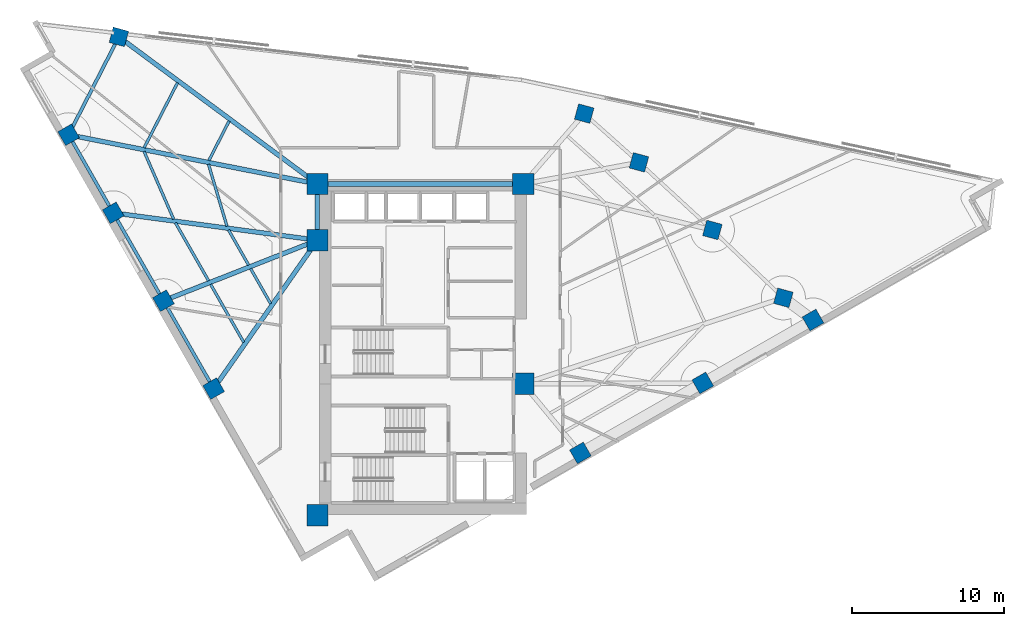
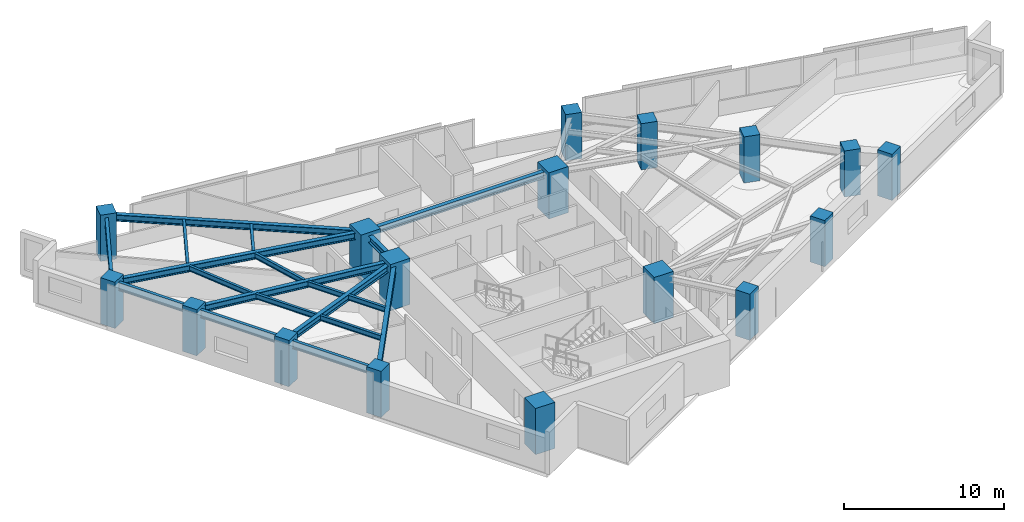
# One storey, part 1 of 14: 19 beams, 17 columns.
"""IFC4 building model written with IfcOpenShell, lengths in metres."""

import ifcopenshell
import ifcopenshell.guid

model = None  # the IFC model being written
_history = None  # IfcOwnerHistory: only IFC2X3 demands one
_inside = {}  # id of a spatial element -> (the spatial element, [elements in it])
_under = {}  # id of a project, library or spatial element -> (it, [spatial elements below it])
_declared = {}  # id of a project -> (the project, [libraries it declares])
_typed = {}  # id of a type object -> (the type object, [elements of that type])
_made_of = {}  # id of a material, layer set ... -> (it, [elements and type objects made of it])


def new_model(schema):
    """Start an empty IFC model of exactly this schema.

    Asked for "IFC4X3", IfcOpenShell would pick the latest addendum, in which some entities
    have other attributes; the version numbers below select the first issue.
    IFC2X3 requires an IfcOwnerHistory on every rooted entity: one is made here for all.
    """
    global model, _history
    if schema == "IFC4X3":
        model = ifcopenshell.file(schema_version=(4, 3, 0, 0))
    else:
        model = ifcopenshell.file(schema=schema)
    _inside.clear()
    _under.clear()
    _declared.clear()
    _typed.clear()
    _made_of.clear()
    _history = None
    if model.schema == "IFC2X3":
        org = make("IfcOrganization", Name="unknown")
        user = make(
            "IfcPersonAndOrganization",
            ThePerson=make("IfcPerson", FamilyName="unknown"),
            TheOrganization=org,
        )
        app = make(
            "IfcApplication",
            ApplicationDeveloper=org,
            Version="unknown",
            ApplicationFullName="unknown",
            ApplicationIdentifier="unknown",
        )
        _history = make(
            "IfcOwnerHistory",
            OwningUser=user,
            OwningApplication=app,
            ChangeAction="ADDED",
            CreationDate=0,
        )
    return model


def make(cls, **values):
    """One entity of the class cls with the attributes given. An attribute that is None is left unset."""
    return model.create_entity(
        cls, **{name: value for name, value in values.items() if value is not None}
    )


def rooted(cls, **values):
    """An entity with a GlobalId (a new one), such as an element, a storey or a relation."""
    return make(cls, GlobalId=ifcopenshell.guid.new(), OwnerHistory=_history, **values)


def si_unit(unit_type, name, prefix=None):
    """IfcSIUnit, for example si_unit("LENGTHUNIT", "METRE", prefix="MILLI")."""
    return make("IfcSIUnit", UnitType=unit_type, Prefix=prefix, Name=name)


def assignment(units):
    """IfcUnitAssignment: the units of a project."""
    return None if units is None else make("IfcUnitAssignment", Units=units)


def point(xyz):
    """IfcCartesianPoint."""
    return None if xyz is None else make("IfcCartesianPoint", Coordinates=xyz)


def direction(xyz):
    """IfcDirection."""
    return None if xyz is None else make("IfcDirection", DirectionRatios=xyz)


def frame(location, z_axis=None, x_axis=None):
    """IfcAxis2Placement3D, a coordinate frame: its origin and axes. An axis left out is left unset."""
    return make(
        "IfcAxis2Placement3D",
        Location=point(location),
        Axis=direction(z_axis),
        RefDirection=direction(x_axis),
    )


def frame_2d(location, x_axis=None):
    """IfcAxis2Placement2D, a coordinate frame in the plane: its origin and x axis."""
    return make(
        "IfcAxis2Placement2D", Location=point(location), RefDirection=direction(x_axis)
    )


def origin():
    """The frame at (0, 0, 0) with its axes left unset."""
    return frame((0.0, 0.0, 0.0))


def origin_2d():
    """The frame at (0, 0) in the plane with its x axis left unset."""
    return frame_2d((0.0, 0.0))


def place(relative_to, where):
    """IfcLocalPlacement: puts the frame where relative to a parent placement (None: the world)."""
    return make(
        "IfcLocalPlacement", PlacementRelTo=relative_to, RelativePlacement=where
    )


def context(
    kind, dimensions, precision=None, world=None, true_north=None, identifier=None
):
    """IfcGeometricRepresentationContext, for example the 3D "Model" context."""
    return make(
        "IfcGeometricRepresentationContext",
        ContextIdentifier=identifier,
        ContextType=kind,
        CoordinateSpaceDimension=dimensions,
        Precision=precision,
        WorldCoordinateSystem=world,
        TrueNorth=true_north,
    )


def subcontext(parent, identifier, kind, view, scale=None):
    """IfcGeometricRepresentationSubContext, for example "Body" below "Model"."""
    return make(
        "IfcGeometricRepresentationSubContext",
        ContextIdentifier=identifier,
        ContextType=kind,
        ParentContext=parent,
        TargetScale=scale,
        TargetView=view,
    )


def project(units=None, contexts=None):
    """IfcProject with its units and contexts."""
    return rooted(
        "IfcProject",
        Name="project",
        RepresentationContexts=contexts,
        UnitsInContext=assignment(units),
    )


def spatial(cls, under=None, at=None, **own):
    """A site, building, storey or space (cls), placed at a placement, below another one or the project."""
    s = rooted(cls, ObjectPlacement=at, **own)
    if under is not None:
        _under.setdefault(under.id(), (under, []))[1].append(s)
    return s


def profile(cls, at=None, kind="AREA", **sizes):
    """A parametric profile (cls). Its sizes go by their IFC names, for example OverallWidth=200.0."""
    return make(cls, ProfileType=kind, Position=at, **sizes)


def rectangle(**sizes):
    """IfcRectangleProfileDef."""
    return profile("IfcRectangleProfileDef", **sizes)


def i_section(**sizes):
    """IfcIShapeProfileDef."""
    return profile("IfcIShapeProfileDef", **sizes)


def extrude(swept, where, along, depth):
    """IfcExtrudedAreaSolid: the profile swept, set in the frame where, extruded along a direction by depth."""
    return make(
        "IfcExtrudedAreaSolid",
        SweptArea=swept,
        Position=where,
        ExtrudedDirection=direction(along),
        Depth=depth,
    )


def shape(context_of_items, identifier, shape_type, items):
    """IfcShapeRepresentation: the items that make up one representation, for example the "Body"."""
    return make(
        "IfcShapeRepresentation",
        ContextOfItems=context_of_items,
        RepresentationIdentifier=identifier,
        RepresentationType=shape_type,
        Items=items,
    )


def material(Name=None, Category=None):
    """IfcMaterial."""
    return make("IfcMaterial", Name=Name, Category=Category)


def material_profile(
    of_material, cross_section, Name=None, Category=None, Priority=None
):
    """IfcMaterialProfile: a cross section and its material."""
    return make(
        "IfcMaterialProfile",
        Name=Name,
        Material=of_material,
        Profile=cross_section,
        Priority=Priority,
        Category=Category,
    )


def profile_set(profiles, Name=None, composite=None):
    """IfcMaterialProfileSet."""
    return make(
        "IfcMaterialProfileSet",
        Name=Name,
        MaterialProfiles=profiles,
        CompositeProfile=composite,
    )


def made_of(thing, what):
    """Note that an element or type object is made of a material, layer set ...; save() writes the relation."""
    if what is not None:
        _made_of.setdefault(what.id(), (what, []))[1].append(thing)
    return thing


def type_object(cls, material=None, **own):
    """A type object (cls), such as IfcWallType, which elements share."""
    return made_of(rooted(cls, **own), material)


def element(
    cls,
    number,
    at=None,
    inside=None,
    cuts=None,
    type_object=None,
    material=None,
    context=None,
    identifier="Body",
    shape_type=None,
    held_by="IfcProductDefinitionShape",
    body=None,
    shapes=None,
    **own,
):
    """One element of the class cls, such as IfcWall. Its Tag is "e" and its number.

    at: its placement. inside: the storey or other place that contains it. cuts: it is an
    opening in that element (IfcRelVoidsElement). A single representation is given by context,
    identifier, shape_type and body (its items); several are given by shapes. held_by: the class
    of the entity that holds the representations. save() writes the other relations.
    """
    e = rooted(cls, Tag="e%d" % number, ObjectPlacement=at, **own)
    if body is not None:
        shapes = [shape(context, identifier, shape_type, body)]
    if shapes is not None:
        e.Representation = make(held_by, Representations=shapes)
    if inside is not None:
        _inside.setdefault(inside.id(), (inside, []))[1].append(e)
    if cuts is not None:
        rooted(
            "IfcRelVoidsElement", RelatingBuildingElement=cuts, RelatedOpeningElement=e
        )
    if type_object is not None:
        _typed.setdefault(type_object.id(), (type_object, []))[1].append(e)
    return made_of(e, material)


def aggregate(whole, parts):
    """IfcRelAggregates: a whole, such as a stair, and the parts it consists of."""
    return rooted("IfcRelAggregates", RelatingObject=whole, RelatedObjects=parts)


def save(model, path):
    """Write the relations noted so far, then the file.

    IfcRelAggregates (storeys below a building ...), IfcRelContainedInSpatialStructure (elements
    in a storey), IfcRelDefinesByType, IfcRelAssociatesMaterial and IfcRelDeclares: one each for
    every whole, place, type object, material and project.
    """
    for whole, parts in _under.values():
        aggregate(whole, parts)
    for where, things in _inside.values():
        rooted(
            "IfcRelContainedInSpatialStructure",
            RelatedElements=things,
            RelatingStructure=where,
        )
    for kind, things in _typed.values():
        rooted("IfcRelDefinesByType", RelatedObjects=things, RelatingType=kind)
    for what, things in _made_of.values():
        rooted("IfcRelAssociatesMaterial", RelatedObjects=things, RelatingMaterial=what)
    for by, libraries in _declared.values():
        rooted("IfcRelDeclares", RelatingContext=by, RelatedDefinitions=libraries)
    model.write(path)


model = new_model("IFC4")

# Units and contexts
model_context = context("Model", 3, precision=1e-05, world=origin(), true_north=direction((0.0, 1.0)))
body_context = subcontext(model_context, "Body", "Model", "MODEL_VIEW")
ifc_project = project(units=[si_unit("LENGTHUNIT", "METRE"), si_unit("AREAUNIT", "SQUARE_METRE"), si_unit("VOLUMEUNIT", "CUBIC_METRE"), si_unit("PLANEANGLEUNIT", "RADIAN"), si_unit("MASSUNIT", "GRAM", prefix="KILO")], contexts=[model_context])

# Site, building, storey
site_placement = place(None, origin())
site = spatial("IfcSite", under=ifc_project, at=site_placement, CompositionType="ELEMENT")
building_placement = place(site_placement, origin())
building = spatial("IfcBuilding", under=site, at=building_placement, Name="Narakoshi Arena Tower", CompositionType="ELEMENT")
storey_placement = place(building_placement, frame((0.0, 0.0, 207.93994140625)))
storey = spatial("IfcBuildingStorey", under=building, at=storey_placement, Name="L56", CompositionType="ELEMENT", Elevation=207.93994140625)

# Columns
ifc_material_1 = material(Name="Concrete C50/60", Category="concrete")
ifc_material_profile_1 = material_profile(ifc_material_1, rectangle(XDim=1.050048828125, YDim=1.050048828125, at=origin_2d()), Name="RC1050x1050")
ifc_profile_set_1 = profile_set([ifc_material_profile_1], Name="Concrete C50/60")
column_type_1 = type_object("IfcColumnType", Name="COL-RC1050", PredefinedType="COLUMN", material=ifc_profile_set_1)
for number, where, z_axis, x_axis, name in (
    (1, (89.30810546875, 38.798583984375, 0.0), (0.0, 0.0, 1.0), (0.868198814489, 0.496216503675, 0.0), "L56 Tower Perimeter Column TC01"),
    (2, (97.366943359375, 43.404541015625, 0.0), (0.0, 0.0, 1.0), (0.868198814489, 0.496216503675, 0.0), "L56 Tower Perimeter Column TC02"),
    (3, (104.619873046875, 47.550048828125, 0.0), (0.0, 0.0, 1.0), (0.868198814489, 0.496216503675, 0.0), "L56 Tower Perimeter Column TC03"),
    (4, (102.668701171875, 49.009521484375, 0.0), (0.0, 0.0, 1.0), (0.263031214458, 0.964787323829, 0.0), "L56 Tower Perimeter Column TC05"),
    (5, (97.997802734375, 53.47509765625, 0.0), (0.0, 0.0, 1.0), (0.263031214458, 0.964787323829, 0.0), "L56 Tower Perimeter Column TC06"),
    (6, (93.16650390625, 57.923828125, 0.0), (0.0, 0.0, 1.0), (0.263031214458, 0.964787323829, 0.0), "L56 Tower Perimeter Column TC07"),
    (7, (89.5615234375, 61.134765625, 0.0), (0.0, 0.0, 1.0), (0.263031214458, 0.964787323829, 0.0), "L56 Tower Perimeter Column TC08"),
    (8, (58.934326171875, 66.183837890625, 0.0), (0.0, 0.0, 1.0), (0.263031214458, 0.964787323829, 0.0), "L56 Tower Perimeter Column TC10"),
    (9, (55.624755859375, 59.74169921875, 0.0), (0.0, 0.0, 1.0), (-0.496216503675, 0.868198814489, 0.0), "L56 Tower Perimeter Column TC13"),
    (10, (58.562744140625, 54.60107421875, 0.0), (0.0, 0.0, 1.0), (-0.496216503675, 0.868198814489, 0.0), "L56 Tower Perimeter Column TC14"),
    (11, (61.8681640625, 48.81787109375, 0.0), (0.0, 0.0, 1.0), (-0.496216503675, 0.868198814489, 0.0), "L56 Tower Perimeter Column TC15"),
    (12, (65.17333984375, 43.03466796875, 0.0), (0.0, 0.0, 1.0), (-0.496216503675, 0.868198814489, 0.0), "L56 Tower Perimeter Column TC16"),
):
    element("IfcColumn", number, at=place(storey_placement, frame(where, z_axis=z_axis, x_axis=x_axis)), inside=storey, type_object=column_type_1, Name=name, PredefinedType="COLUMN", context=body_context, shape_type="SweptSolid", body=[
        extrude(rectangle(XDim=1.050048828125, YDim=1.050048828125, at=origin_2d()), origin(), (0.0, 0.0, 1.0), 3.52001953125),
    ])
ifc_material_2 = material(Name="Concrete C60/75", Category="concrete")
ifc_material_profile_2 = material_profile(ifc_material_2, rectangle(XDim=1.39990234375, YDim=1.39990234375, at=origin_2d()), Name="RC1400x1400")
ifc_profile_set_2 = profile_set([ifc_material_profile_2], Name="Concrete C60/75")
column_type_2 = type_object("IfcColumnType", Name="COL-RC1400", PredefinedType="COLUMN", material=ifc_profile_set_2)
for number, where, z_axis, x_axis, name in (
    (13, (72.0, 34.699951171875, 0.0), (0.0, 0.0, 1.0), (1.0, 0.0, 0.0), "L56 Core Structural Column CC1"),
    (14, (85.550048828125, 43.35009765625, 0.0), (0.0, 0.0, 1.0), (1.0, 0.0, 0.0), "L56 Core Structural Column CC3"),
    (15, (72.0, 52.800048828125, 0.0), (0.0, 0.0, 1.0), (1.0, 0.0, 0.0), "L56 Core Structural Column CC4"),
    (16, (72.0, 56.5, 0.0), (0.0, 0.0, 1.0), (1.0, 0.0, 0.0), "L56 Core Structural Column CC5"),
    (17, (85.550048828125, 56.5, 0.0), (0.0, 0.0, 1.0), (1.0, 0.0, 0.0), "L56 Core Structural Column CC6"),
):
    element("IfcColumn", number, at=place(storey_placement, frame(where, z_axis=z_axis, x_axis=x_axis)), inside=storey, type_object=column_type_2, Name=name, PredefinedType="COLUMN", context=body_context, shape_type="SweptSolid", body=[
        extrude(rectangle(XDim=1.39990234375, YDim=1.39990234375, at=origin_2d()), origin(), (0.0, 0.0, 1.0), 3.52001953125),
    ])

# Beams
ifc_material_3 = material(Name="Structural steel S355J2", Category="steel")
ifc_material_profile_3 = material_profile(ifc_material_3, i_section(OverallWidth=0.219970703125, OverallDepth=0.60009765625, WebThickness=0.011962890625, FlangeThickness=0.01904296875, FilletRadius=0.02392578125, at=origin_2d()), Name="IPE600")
ifc_profile_set_3 = profile_set([ifc_material_profile_3], Name="Structural steel S355J2")
beam_type_1 = type_object("IfcBeamType", Name="BM-EDGE-600", PredefinedType="BEAM", material=ifc_profile_set_3)
beam_1_placement = place(storey_placement, frame((58.934326171875, 66.183837890625, 2.9599609375), z_axis=(-0.45696256568, -0.889485926571, 0.0), x_axis=(0.889485926571, -0.45696256568, 0.0)))
element("IfcBeam", 18, at=beam_1_placement, inside=storey, type_object=beam_type_1, Name="L56 Perimeter Edge Girder 08", PredefinedType="BEAM", context=body_context, shape_type="SweptSolid", body=[
    extrude(i_section(OverallWidth=0.219970703125, OverallDepth=0.60009765625, WebThickness=0.011962890625, FlangeThickness=0.01904296875, FilletRadius=0.02392578125, at=origin_2d()), origin(), (0.0, 0.0, 1.0), 7.242431640625),
])
beam_2_placement = place(storey_placement, frame((55.624755859375, 59.74169921875, 2.9599609375), z_axis=(0.496201104161, -0.868207615856, 0.0), x_axis=(0.868207615856, 0.496201104161, 0.0)))
element("IfcBeam", 19, at=beam_2_placement, inside=storey, type_object=beam_type_1, Name="L56 Perimeter Edge Girder 09", PredefinedType="BEAM", context=body_context, shape_type="SweptSolid", body=[
    extrude(i_section(OverallWidth=0.219970703125, OverallDepth=0.60009765625, WebThickness=0.011962890625, FlangeThickness=0.01904296875, FilletRadius=0.02392578125, at=origin_2d()), origin(), (0.0, 0.0, 1.0), 5.9208984375),
])
for number, where, z_axis, x_axis, name in (
    (20, (58.562744140625, 54.60107421875, 2.9599609375), (0.496221824399, -0.868195773423, 0.0), (0.868195773423, 0.496221824399, 0.0), "L56 Perimeter Edge Girder 10"),
    (21, (61.8681640625, 48.81787109375, 2.9599609375), (0.496194197226, -0.868211563295, 0.0), (0.868211563295, 0.496194197226, 0.0), "L56 Perimeter Edge Girder 11"),
):
    element("IfcBeam", number, at=place(storey_placement, frame(where, z_axis=z_axis, x_axis=x_axis)), inside=storey, type_object=beam_type_1, Name=name, PredefinedType="BEAM", context=body_context, shape_type="SweptSolid", body=[
        extrude(i_section(OverallWidth=0.219970703125, OverallDepth=0.60009765625, WebThickness=0.011962890625, FlangeThickness=0.01904296875, FilletRadius=0.02392578125, at=origin_2d()), origin(), (0.0, 0.0, 1.0), 6.6611328125),
    ])
ifc_material_profile_4 = material_profile(ifc_material_3, i_section(OverallWidth=0.300048828125, OverallDepth=0.5, WebThickness=0.014404296875, FlangeThickness=0.028076171875, FilletRadius=0.027099609375, at=origin_2d()), Name="HE500B")
ifc_profile_set_4 = profile_set([ifc_material_profile_4], Name="Structural steel S355J2")
beam_type_2 = type_object("IfcBeamType", Name="BM-PRI-500", PredefinedType="BEAM", material=ifc_profile_set_4)
beam_3_placement = place(storey_placement, frame((72.0, 56.5, 3.010009765625), z_axis=(-0.803393614053, 0.595448319252, 0.0), x_axis=(-0.595448319252, -0.803393614053, 0.0)))
element("IfcBeam", 22, at=beam_3_placement, inside=storey, type_object=beam_type_2, Name="L56 Radial Primary Floor Girder 08", PredefinedType="BEAM", context=body_context, shape_type="SweptSolid", body=[
    extrude(i_section(OverallWidth=0.300048828125, OverallDepth=0.5, WebThickness=0.014404296875, FlangeThickness=0.028076171875, FilletRadius=0.027099609375, at=origin_2d()), origin(), (0.0, 0.0, 1.0), 16.26318359375),
])
beam_4_placement = place(storey_placement, frame((72.0, 56.5, 3.010009765625), z_axis=(-0.980962989548, 0.194194781435, 0.0), x_axis=(-0.194194781435, -0.980962989548, 0.0)))
element("IfcBeam", 23, at=beam_4_placement, inside=storey, type_object=beam_type_2, Name="L56 Radial Primary Floor Girder 09", PredefinedType="BEAM", context=body_context, shape_type="SweptSolid", body=[
    extrude(i_section(OverallWidth=0.300048828125, OverallDepth=0.5, WebThickness=0.014404296875, FlangeThickness=0.028076171875, FilletRadius=0.027099609375, at=origin_2d()), origin(), (0.0, 0.0, 1.0), 16.693115234375),
])
beam_5_placement = place(storey_placement, frame((72.0, 52.800048828125, 3.010009765625), z_axis=(-0.991136919777, 0.132844293268, 0.0), x_axis=(-0.132844293268, -0.991136919777, 0.0)))
element("IfcBeam", 24, at=beam_5_placement, inside=storey, type_object=beam_type_2, Name="L56 Radial Primary Floor Girder 10", PredefinedType="BEAM", context=body_context, shape_type="SweptSolid", body=[
    extrude(i_section(OverallWidth=0.300048828125, OverallDepth=0.5, WebThickness=0.014404296875, FlangeThickness=0.028076171875, FilletRadius=0.027099609375, at=origin_2d()), origin(), (0.0, 0.0, 1.0), 13.557373046875),
])
beam_6_placement = place(storey_placement, frame((72.0, 52.800048828125, 3.010009765625), z_axis=(-0.930694784397, -0.365796689838, 0.0), x_axis=(0.365796689838, -0.930694784397, 0.0)))
element("IfcBeam", 25, at=beam_6_placement, inside=storey, type_object=beam_type_2, Name="L56 Radial Primary Floor Girder 11", PredefinedType="BEAM", context=body_context, shape_type="SweptSolid", body=[
    extrude(i_section(OverallWidth=0.300048828125, OverallDepth=0.5, WebThickness=0.014404296875, FlangeThickness=0.028076171875, FilletRadius=0.027099609375, at=origin_2d()), origin(), (0.0, 0.0, 1.0), 10.88623046875),
])
beam_7_placement = place(storey_placement, frame((72.0, 52.800048828125, 3.010009765625), z_axis=(-0.572949287291, -0.819590821198, 0.0), x_axis=(0.819590821198, -0.572949287291, 0.0)))
element("IfcBeam", 26, at=beam_7_placement, inside=storey, type_object=beam_type_2, Name="L56 Radial Primary Floor Girder 12", PredefinedType="BEAM", context=body_context, shape_type="SweptSolid", body=[
    extrude(i_section(OverallWidth=0.300048828125, OverallDepth=0.5, WebThickness=0.014404296875, FlangeThickness=0.028076171875, FilletRadius=0.027099609375, at=origin_2d()), origin(), (0.0, 0.0, 1.0), 11.9150390625),
])
beam_8_placement = place(storey_placement, frame((72.0, 52.800048828125, 3.010009765625), z_axis=(0.0, 1.0, 0.0), x_axis=(-1.0, 0.0, 0.0)))
element("IfcBeam", 27, at=beam_8_placement, inside=storey, type_object=beam_type_2, Name="L56 Core Perimeter Frame Beam CC4-CC5", PredefinedType="BEAM", context=body_context, shape_type="SweptSolid", body=[
    extrude(i_section(OverallWidth=0.300048828125, OverallDepth=0.5, WebThickness=0.014404296875, FlangeThickness=0.028076171875, FilletRadius=0.027099609375, at=origin_2d()), origin(), (0.0, 0.0, 1.0), 3.699951171875),
])
beam_9_placement = place(storey_placement, frame((72.0, 56.5, 3.010009765625), z_axis=(1.0, 0.0, 0.0), x_axis=(0.0, 1.0, 0.0)))
element("IfcBeam", 28, at=beam_9_placement, inside=storey, type_object=beam_type_2, Name="L56 Core Perimeter Frame Beam CC5-CC6", PredefinedType="BEAM", context=body_context, shape_type="SweptSolid", body=[
    extrude(i_section(OverallWidth=0.300048828125, OverallDepth=0.5, WebThickness=0.014404296875, FlangeThickness=0.028076171875, FilletRadius=0.027099609375, at=origin_2d()), origin(), (0.0, 0.0, 1.0), 13.550048828125),
])
ifc_material_profile_5 = material_profile(ifc_material_3, i_section(OverallWidth=0.179931640625, OverallDepth=0.39990234375, WebThickness=0.008544921875, FlangeThickness=0.013427734375, FilletRadius=0.02099609375, at=origin_2d()), Name="IPE400")
ifc_profile_set_5 = profile_set([ifc_material_profile_5], Name="Structural steel S355J2")
beam_type_3 = type_object("IfcBeamType", Name="BM-SEC-400", PredefinedType="JOIST", material=ifc_profile_set_5)
beam_10_placement = place(storey_placement, frame((66.189453125, 60.640869140625, 3.06005859375), z_axis=(-0.456929991759, -0.889502660272, 0.0), x_axis=(0.889502660272, -0.456929991759, 0.0)))
element("IfcBeam", 29, at=beam_10_placement, inside=storey, type_object=beam_type_3, Name="L56 Composite Secondary Floor Joist 10", PredefinedType="JOIST", context=body_context, shape_type="SweptSolid", body=[
    extrude(i_section(OverallWidth=0.179931640625, OverallDepth=0.39990234375, WebThickness=0.008544921875, FlangeThickness=0.013427734375, FilletRadius=0.02099609375, at=origin_2d()), origin(), (0.0, 0.0, 1.0), 2.916748046875),
])
beam_11_placement = place(storey_placement, frame((62.792236328125, 63.15869140625, 3.06005859375), z_axis=(-0.456912378331, -0.889511707921, 0.0), x_axis=(0.889511707921, -0.456912378331, 0.0)))
element("IfcBeam", 30, at=beam_11_placement, inside=storey, type_object=beam_type_3, Name="L56 Composite Secondary Floor Joist 11", PredefinedType="JOIST", context=body_context, shape_type="SweptSolid", body=[
    extrude(i_section(OverallWidth=0.179931640625, OverallDepth=0.39990234375, WebThickness=0.008544921875, FlangeThickness=0.013427734375, FilletRadius=0.02099609375, at=origin_2d()), origin(), (0.0, 0.0, 1.0), 4.7998046875),
])
beam_12_placement = place(storey_placement, frame((64.83349609375, 57.796875, 3.06005859375), z_axis=(0.285841192942, -0.958277001925, 0.0), x_axis=(0.958277001925, 0.285841192942, 0.0)))
element("IfcBeam", 31, at=beam_12_placement, inside=storey, type_object=beam_type_3, Name="L56 Composite Secondary Floor Joist 12", PredefinedType="JOIST", context=body_context, shape_type="SweptSolid", body=[
    extrude(i_section(OverallWidth=0.179931640625, OverallDepth=0.39990234375, WebThickness=0.008544921875, FlangeThickness=0.013427734375, FilletRadius=0.02099609375, at=origin_2d()), origin(), (0.0, 0.0, 1.0), 4.252685546875),
])
beam_13_placement = place(storey_placement, frame((60.59130859375, 58.6455078125, 3.06005859375), z_axis=(0.400253122957, -0.916404625459, 0.0), x_axis=(0.916404625459, 0.400253122957, 0.0)))
element("IfcBeam", 32, at=beam_13_placement, inside=storey, type_object=beam_type_3, Name="L56 Composite Secondary Floor Joist 13", PredefinedType="JOIST", context=body_context, shape_type="SweptSolid", body=[
    extrude(i_section(OverallWidth=0.179931640625, OverallDepth=0.39990234375, WebThickness=0.008544921875, FlangeThickness=0.013427734375, FilletRadius=0.02099609375, at=origin_2d()), origin(), (0.0, 0.0, 1.0), 4.8681640625),
])
beam_14_placement = place(storey_placement, frame((66.154541015625, 53.47509765625, 3.06005859375), z_axis=(0.49628714607, -0.868158435221, 0.0), x_axis=(0.868158435221, 0.49628714607, 0.0)))
element("IfcBeam", 33, at=beam_14_placement, inside=storey, type_object=beam_type_3, Name="L56 Composite Secondary Floor Joist 14", PredefinedType="JOIST", context=body_context, shape_type="SweptSolid", body=[
    extrude(i_section(OverallWidth=0.179931640625, OverallDepth=0.39990234375, WebThickness=0.008544921875, FlangeThickness=0.013427734375, FilletRadius=0.02099609375, at=origin_2d()), origin(), (0.0, 0.0, 1.0), 2.660888671875),
])
beam_15_placement = place(storey_placement, frame((62.660888671875, 53.943603515625, 3.06005859375), z_axis=(0.496228710621, -0.868191837531, 0.0), x_axis=(0.868191837531, 0.496228710621, 0.0)))
element("IfcBeam", 34, at=beam_15_placement, inside=storey, type_object=beam_type_3, Name="L56 Composite Secondary Floor Joist 15", PredefinedType="JOIST", context=body_context, shape_type="SweptSolid", body=[
    extrude(i_section(OverallWidth=0.179931640625, OverallDepth=0.39990234375, WebThickness=0.008544921875, FlangeThickness=0.013427734375, FilletRadius=0.02099609375, at=origin_2d()), origin(), (0.0, 0.0, 1.0), 4.39306640625),
])
beam_16_placement = place(storey_placement, frame((67.60888671875, 50.9306640625, 3.06005859375), z_axis=(0.496217987869, -0.868197966201, 0.0), x_axis=(0.868197966201, 0.496217987869, 0.0)))
element("IfcBeam", 35, at=beam_16_placement, inside=storey, type_object=beam_type_3, Name="L56 Composite Secondary Floor Joist 16", PredefinedType="JOIST", context=body_context, shape_type="SweptSolid", body=[
    extrude(i_section(OverallWidth=0.179931640625, OverallDepth=0.39990234375, WebThickness=0.008544921875, FlangeThickness=0.013427734375, FilletRadius=0.02099609375, at=origin_2d()), origin(), (0.0, 0.0, 1.0), 2.66064453125),
])
beam_17_placement = place(storey_placement, frame((64.974609375, 49.895263671875, 3.06005859375), z_axis=(0.496210762038, -0.86820209608, 0.0), x_axis=(0.86820209608, 0.496210762038, 0.0)))
element("IfcBeam", 36, at=beam_17_placement, inside=storey, type_object=beam_type_3, Name="L56 Composite Secondary Floor Joist 17", PredefinedType="JOIST", context=body_context, shape_type="SweptSolid", body=[
    extrude(i_section(OverallWidth=0.179931640625, OverallDepth=0.39990234375, WebThickness=0.008544921875, FlangeThickness=0.013427734375, FilletRadius=0.02099609375, at=origin_2d()), origin(), (0.0, 0.0, 1.0), 4.392578125),
])

save(model, "model.ifc")
